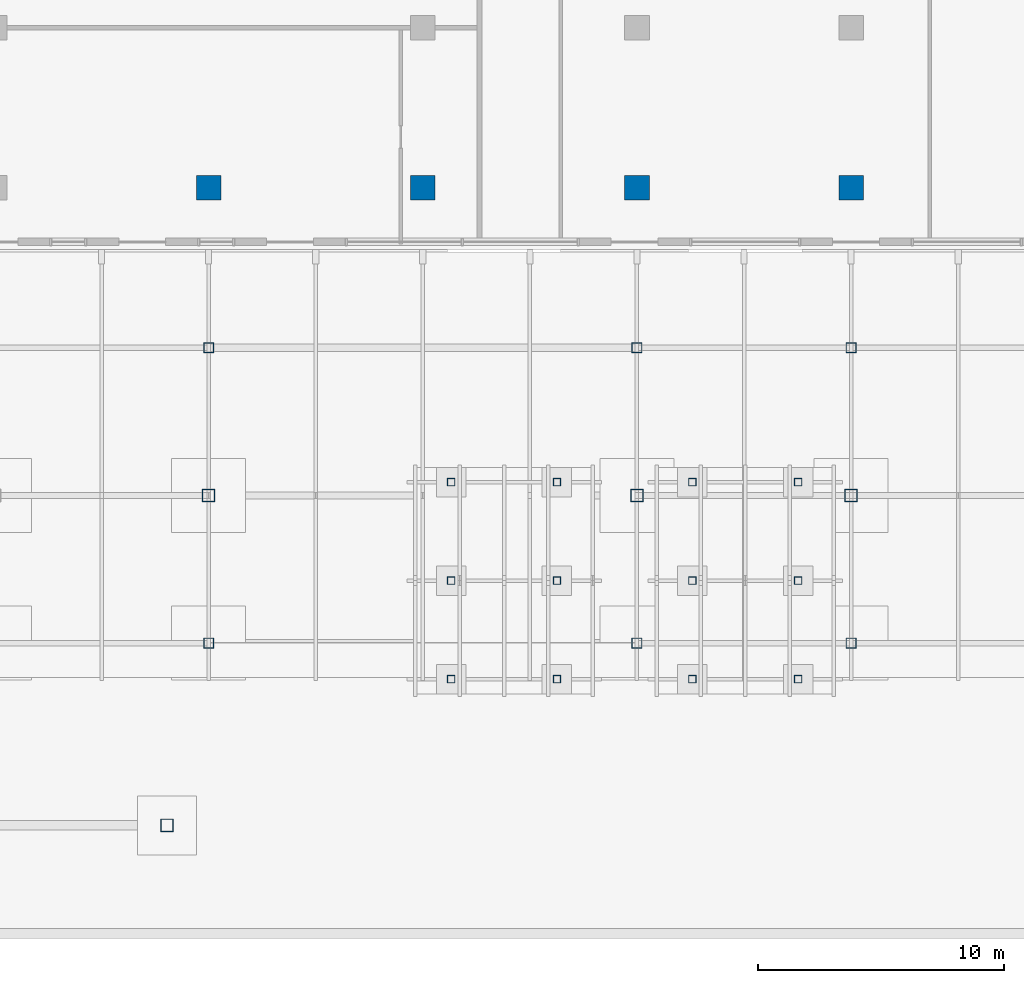
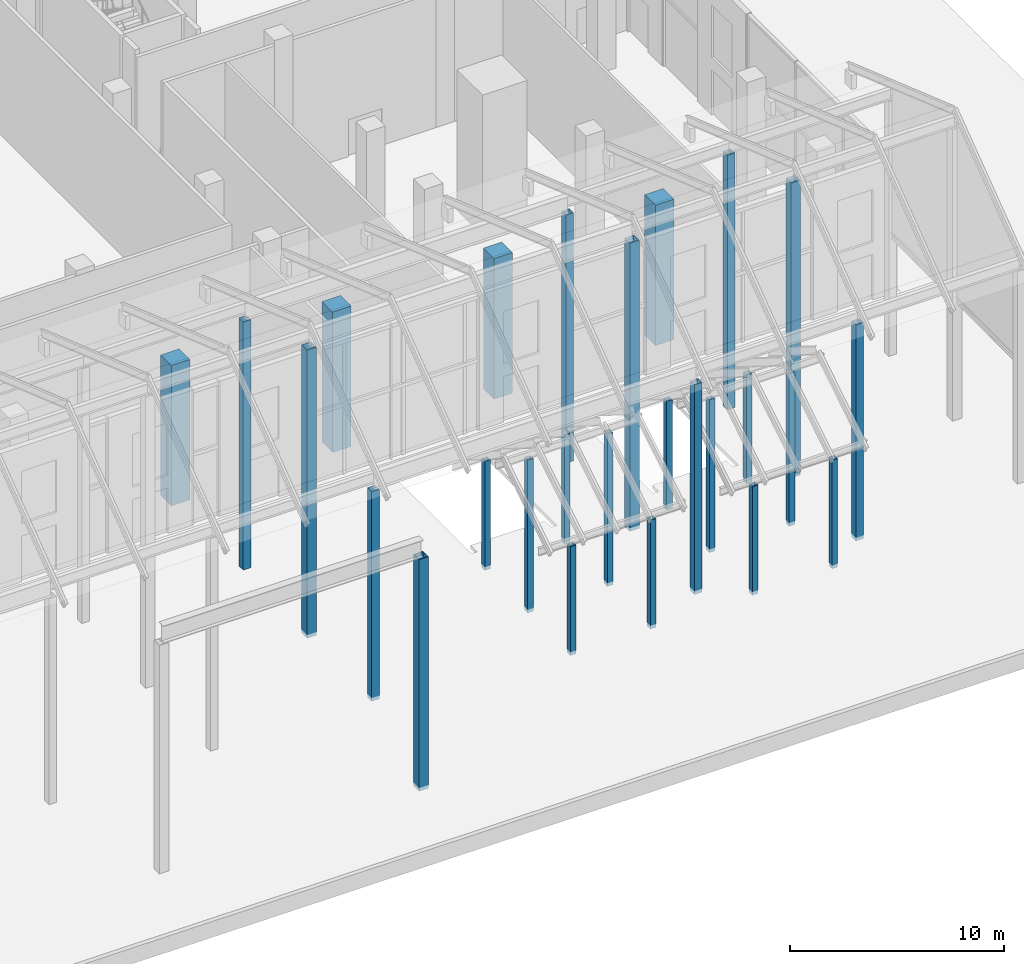
# One storey, part 5 of 31: 26 columns.
"""IFC4 building model written with IfcOpenShell, lengths in metres."""

from ifc_helpers import new_model, si_unit, direction, frame, origin, origin_2d, place, context, subcontext, project, spatial, rectangle, hollow_rectangle, extrude, material, material_profile, profile_set, type_object, element, save


model = new_model("IFC4")

# Units and contexts
model_context = context("Model", 3, precision=1e-05, world=origin(), true_north=direction((0.0, 1.0)))
body_context = subcontext(model_context, "Body", "Model", "MODEL_VIEW")
ifc_project = project(units=[si_unit("LENGTHUNIT", "METRE"), si_unit("AREAUNIT", "SQUARE_METRE"), si_unit("VOLUMEUNIT", "CUBIC_METRE"), si_unit("PLANEANGLEUNIT", "RADIAN"), si_unit("MASSUNIT", "GRAM", prefix="KILO")], contexts=[model_context])

# Site, building, storey
site_placement = place(None, origin())
site = spatial("IfcSite", under=ifc_project, at=site_placement, CompositionType="ELEMENT")
building_placement = place(site_placement, origin())
building = spatial("IfcBuilding", under=site, at=building_placement, Name="Bicima Exchange Tower", CompositionType="ELEMENT")
storey_placement = place(building_placement, origin())
storey = spatial("IfcBuildingStorey", under=building, at=storey_placement, Name="L00", CompositionType="ELEMENT", Elevation=0.0)

# Columns
ifc_material_1 = material(Name="Steel ASTM A572 Gr 50", Category="steel")
ifc_material_profile_1 = material_profile(ifc_material_1, hollow_rectangle(XDim=0.3046875, YDim=0.3046875, WallThickness=0.01171875, at=origin_2d()))
ifc_profile_set_1 = profile_set([ifc_material_profile_1], Name="Steel ASTM A572 Gr 50")
column_type_1 = type_object("IfcColumnType", Name="Pavilion post HSS12x12x1/2", PredefinedType="COLUMN", material=ifc_profile_set_1)
for number, where, z_axis, x_axis, name in (
    (1, (18.550048828125, -63.4599609375, -0.199951171875), (0.0, 0.0, 1.0), (1.0, 0.0, 0.0), "Pavilion post"),
    (2, (22.85009765625, -63.4599609375, -0.199951171875), (0.0, 0.0, 1.0), (1.0, 0.0, 0.0), "Pavilion post"),
):
    element("IfcColumn", number, at=place(storey_placement, frame(where, z_axis=z_axis, x_axis=x_axis)), inside=storey, type_object=column_type_1, Name=name, PredefinedType="COLUMN", context=body_context, shape_type="SweptSolid", body=[
        extrude(hollow_rectangle(XDim=0.3046875, YDim=0.3046875, WallThickness=0.01171875, at=origin_2d()), origin(), (0.0, 0.0, 1.0), 6.199951171875),
    ])
for number, where, z_axis, x_axis, name in (
    (3, (18.550048828125, -67.4599609375, -0.199951171875), (0.0, 0.0, 1.0), (1.0, 0.0, 0.0), "Pavilion post"),
    (4, (22.85009765625, -67.4599609375, -0.199951171875), (0.0, 0.0, 1.0), (1.0, 0.0, 0.0), "Pavilion post"),
):
    element("IfcColumn", number, at=place(storey_placement, frame(where, z_axis=z_axis, x_axis=x_axis)), inside=storey, type_object=column_type_1, Name=name, PredefinedType="COLUMN", context=body_context, shape_type="SweptSolid", body=[
        extrude(hollow_rectangle(XDim=0.3046875, YDim=0.3046875, WallThickness=0.01171875, at=origin_2d()), origin(), (0.0, 0.0, 1.0), 8.699462890625),
    ])
for number, where, z_axis, x_axis, name in (
    (5, (18.550048828125, -71.4599609375, -0.199951171875), (0.0, 0.0, 1.0), (1.0, 0.0, 0.0), "Pavilion post"),
    (6, (22.85009765625, -71.4599609375, -0.199951171875), (0.0, 0.0, 1.0), (1.0, 0.0, 0.0), "Pavilion post"),
    (7, (28.35009765625, -63.4599609375, -0.199951171875), (0.0, 0.0, 1.0), (1.0, 0.0, 0.0), "Pavilion post"),
    (8, (32.64990234375, -63.4599609375, -0.199951171875), (0.0, 0.0, 1.0), (1.0, 0.0, 0.0), "Pavilion post"),
):
    element("IfcColumn", number, at=place(storey_placement, frame(where, z_axis=z_axis, x_axis=x_axis)), inside=storey, type_object=column_type_1, Name=name, PredefinedType="COLUMN", context=body_context, shape_type="SweptSolid", body=[
        extrude(hollow_rectangle(XDim=0.3046875, YDim=0.3046875, WallThickness=0.01171875, at=origin_2d()), origin(), (0.0, 0.0, 1.0), 6.199951171875),
    ])
for number, where, z_axis, x_axis, name in (
    (9, (28.35009765625, -67.4599609375, -0.199951171875), (0.0, 0.0, 1.0), (1.0, 0.0, 0.0), "Pavilion post"),
    (10, (32.64990234375, -67.4599609375, -0.199951171875), (0.0, 0.0, 1.0), (1.0, 0.0, 0.0), "Pavilion post"),
):
    element("IfcColumn", number, at=place(storey_placement, frame(where, z_axis=z_axis, x_axis=x_axis)), inside=storey, type_object=column_type_1, Name=name, PredefinedType="COLUMN", context=body_context, shape_type="SweptSolid", body=[
        extrude(hollow_rectangle(XDim=0.3046875, YDim=0.3046875, WallThickness=0.01171875, at=origin_2d()), origin(), (0.0, 0.0, 1.0), 8.699462890625),
    ])
for number, where, z_axis, x_axis, name in (
    (11, (28.35009765625, -71.4599609375, -0.199951171875), (0.0, 0.0, 1.0), (1.0, 0.0, 0.0), "Pavilion post"),
    (12, (32.64990234375, -71.4599609375, -0.199951171875), (0.0, 0.0, 1.0), (1.0, 0.0, 0.0), "Pavilion post"),
):
    element("IfcColumn", number, at=place(storey_placement, frame(where, z_axis=z_axis, x_axis=x_axis)), inside=storey, type_object=column_type_1, Name=name, PredefinedType="COLUMN", context=body_context, shape_type="SweptSolid", body=[
        extrude(hollow_rectangle(XDim=0.3046875, YDim=0.3046875, WallThickness=0.01171875, at=origin_2d()), origin(), (0.0, 0.0, 1.0), 6.199951171875),
    ])
ifc_material_profile_2 = material_profile(ifc_material_1, hollow_rectangle(XDim=0.508056640625, YDim=0.508056640625, WallThickness=0.017822265625, at=origin_2d()))
ifc_profile_set_2 = profile_set([ifc_material_profile_2], Name="Steel ASTM A572 Gr 50")
column_type_2 = type_object("IfcColumnType", Name="Portal frame column HSS20x20x3/4", PredefinedType="COLUMN", material=ifc_profile_set_2)
column_1_placement = place(storey_placement, frame((7.0, -77.39990234375, -0.199951171875), z_axis=(0.0, 0.0, 1.0), x_axis=(1.0, 0.0, 0.0)))
element("IfcColumn", 13, at=column_1_placement, inside=storey, type_object=column_type_2, Name="Portal frame column", PredefinedType="COLUMN", context=body_context, shape_type="SweptSolid", body=[
    extrude(hollow_rectangle(XDim=0.508056640625, YDim=0.508056640625, WallThickness=0.017822265625, at=origin_2d()), origin(), (0.0, 0.0, 1.0), 13.20947265625),
])
ifc_material_profile_3 = material_profile(ifc_material_1, hollow_rectangle(XDim=0.406494140625, YDim=0.406494140625, WallThickness=0.0146484375, at=origin_2d()))
ifc_profile_set_3 = profile_set([ifc_material_profile_3], Name="Steel ASTM A572 Gr 50")
column_type_3 = type_object("IfcColumnType", Name="Portico column HSS16x16x5/8", PredefinedType="COLUMN", material=ifc_profile_set_3)
for number, where, z_axis, x_axis, name in (
    (14, (8.699951171875, -58.0, 0.0), (0.0, 0.0, 1.0), (1.0, 0.0, 0.0), "Portico column"),
    (15, (26.10009765625, -58.0, 0.0), (0.0, 0.0, 1.0), (1.0, 0.0, 0.0), "Portico column"),
):
    element("IfcColumn", number, at=place(storey_placement, frame(where, z_axis=z_axis, x_axis=x_axis)), inside=storey, type_object=column_type_3, Name=name, PredefinedType="COLUMN", context=body_context, shape_type="SweptSolid", body=[
        extrude(hollow_rectangle(XDim=0.406494140625, YDim=0.406494140625, WallThickness=0.0146484375, at=origin_2d()), origin(), (0.0, 0.0, 1.0), 14.135986328125),
    ])
column_2_placement = place(storey_placement, frame((34.800048828125, -58.0, 0.0), z_axis=(0.0, 0.0, 1.0), x_axis=(1.0, 0.0, 0.0)))
element("IfcColumn", 16, at=column_2_placement, inside=storey, type_object=column_type_3, Name="Portico column", PredefinedType="COLUMN", context=body_context, shape_type="SweptSolid", body=[
    extrude(hollow_rectangle(XDim=0.406494140625, YDim=0.406494140625, WallThickness=0.0146484375, at=origin_2d()), origin(), (0.0, 0.0, 1.0), 14.504150390625),
])
for number, where, z_axis, x_axis, name in (
    (17, (8.699951171875, -70.0, -0.199951171875), (0.0, 0.0, 1.0), (1.0, 0.0, 0.0), "Portico column"),
    (18, (26.10009765625, -70.0, -0.199951171875), (0.0, 0.0, 1.0), (1.0, 0.0, 0.0), "Portico column"),
):
    element("IfcColumn", number, at=place(storey_placement, frame(where, z_axis=z_axis, x_axis=x_axis)), inside=storey, type_object=column_type_3, Name=name, PredefinedType="COLUMN", context=body_context, shape_type="SweptSolid", body=[
        extrude(hollow_rectangle(XDim=0.406494140625, YDim=0.406494140625, WallThickness=0.0146484375, at=origin_2d()), origin(), (0.0, 0.0, 1.0), 11.94091796875),
    ])
column_3_placement = place(storey_placement, frame((34.800048828125, -70.0, -0.199951171875), z_axis=(0.0, 0.0, 1.0), x_axis=(1.0, 0.0, 0.0)))
element("IfcColumn", 19, at=column_3_placement, inside=storey, type_object=column_type_3, Name="Portico column", PredefinedType="COLUMN", context=body_context, shape_type="SweptSolid", body=[
    extrude(hollow_rectangle(XDim=0.406494140625, YDim=0.406494140625, WallThickness=0.0146484375, at=origin_2d()), origin(), (0.0, 0.0, 1.0), 12.309326171875),
])
column_type_4 = type_object("IfcColumnType", Name="Portico crown column HSS20x20x3/4", PredefinedType="COLUMN", material=ifc_profile_set_2)
for number, where, z_axis, x_axis, name in (
    (20, (8.699951171875, -64.0, -0.199951171875), (0.0, 0.0, 1.0), (1.0, 0.0, 0.0), "Portico column"),
    (21, (26.10009765625, -64.0, -0.199951171875), (0.0, 0.0, 1.0), (1.0, 0.0, 0.0), "Portico column"),
):
    element("IfcColumn", number, at=place(storey_placement, frame(where, z_axis=z_axis, x_axis=x_axis)), inside=storey, type_object=column_type_4, Name=name, PredefinedType="COLUMN", context=body_context, shape_type="SweptSolid", body=[
        extrude(hollow_rectangle(XDim=0.508056640625, YDim=0.508056640625, WallThickness=0.017822265625, at=origin_2d()), origin(), (0.0, 0.0, 1.0), 16.427734375),
    ])
column_4_placement = place(storey_placement, frame((34.800048828125, -64.0, -0.199951171875), z_axis=(0.0, 0.0, 1.0), x_axis=(1.0, 0.0, 0.0)))
element("IfcColumn", 22, at=column_4_placement, inside=storey, type_object=column_type_4, Name="Portico column", PredefinedType="COLUMN", context=body_context, shape_type="SweptSolid", body=[
    extrude(hollow_rectangle(XDim=0.508056640625, YDim=0.508056640625, WallThickness=0.017822265625, at=origin_2d()), origin(), (0.0, 0.0, 1.0), 16.796142578125),
])
ifc_material_2 = material(Name="Concrete C60/75", Category="concrete")
ifc_material_profile_4 = material_profile(ifc_material_2, rectangle(XDim=1.0, YDim=1.0, at=origin_2d()))
ifc_profile_set_4 = profile_set([ifc_material_profile_4], Name="Concrete C60/75")
column_type_5 = type_object("IfcColumnType", Name="Reinforced concrete podium column 1000 x 1000", PredefinedType="COLUMN", material=ifc_profile_set_4)
for number, where, z_axis, x_axis, name in (
    (23, (8.699951171875, -51.5, 0.0), (0.0, 0.0, 1.0), (1.0, 0.0, 0.0), "Column"),
    (24, (17.39990234375, -51.5, 0.0), (0.0, 0.0, 1.0), (1.0, 0.0, 0.0), "Column"),
    (25, (26.10009765625, -51.5, 0.0), (0.0, 0.0, 1.0), (1.0, 0.0, 0.0), "Column"),
    (26, (34.800048828125, -51.5, 0.0), (0.0, 0.0, 1.0), (1.0, 0.0, 0.0), "Column"),
):
    element("IfcColumn", number, at=place(storey_placement, frame(where, z_axis=z_axis, x_axis=x_axis)), inside=storey, type_object=column_type_5, Name=name, PredefinedType="COLUMN", context=body_context, shape_type="SweptSolid", body=[
        extrude(rectangle(XDim=1.0, YDim=1.0, at=origin_2d()), origin(), (0.0, 0.0, 1.0), 8.0),
    ])

save(model, "model.ifc")
